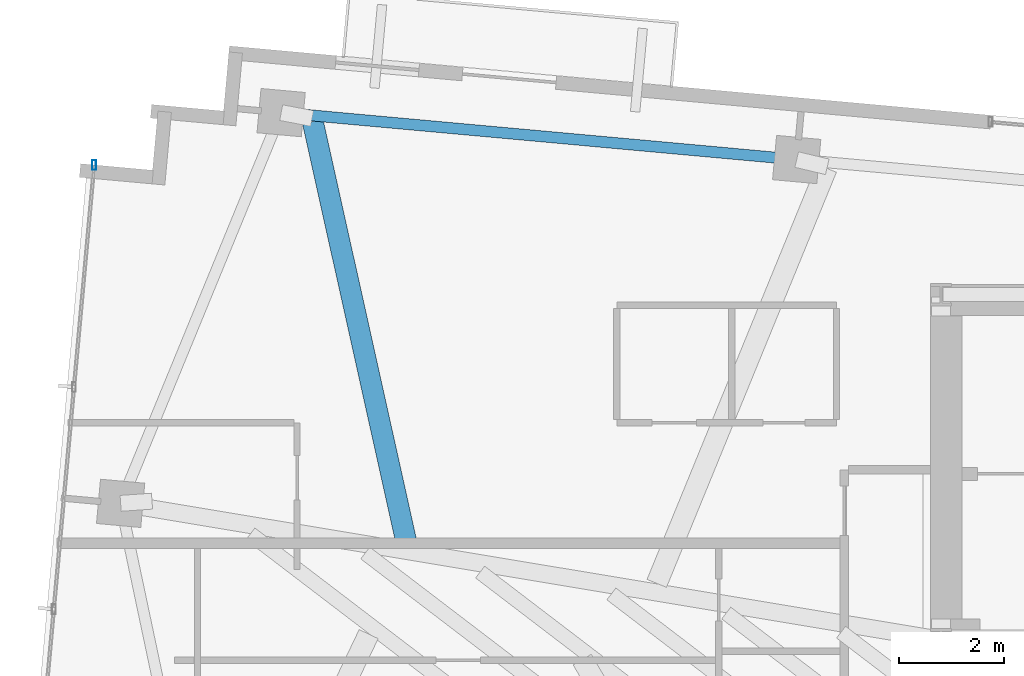
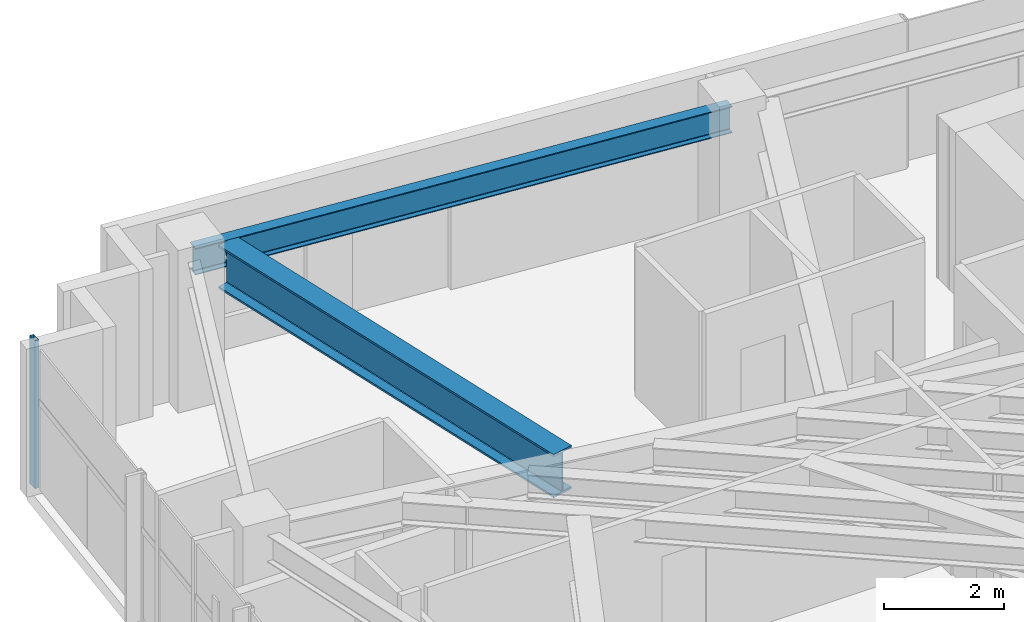
# One storey, part 9 of 22: 2 beams, 1 member, 1 element without a shape of its own.
"""IFC4 building model written with IfcOpenShell, lengths in metres."""

from ifc_helpers import new_model, si_unit, direction, frame, origin, origin_2d, place, context, subcontext, project, spatial, hollow_rectangle, i_section, extrude, source, transform, mapped, material, material_profile, profile_set, type_object, type_shapes, element, aggregate, save


model = new_model("IFC4")

# Units and contexts
model_context = context("Model", 3, precision=1e-05, world=origin(), true_north=direction((0.0, 1.0)))
body_context = subcontext(model_context, "Body", "Model", "MODEL_VIEW")
ifc_project = project(units=[si_unit("LENGTHUNIT", "METRE"), si_unit("AREAUNIT", "SQUARE_METRE"), si_unit("VOLUMEUNIT", "CUBIC_METRE"), si_unit("PLANEANGLEUNIT", "RADIAN"), si_unit("MASSUNIT", "GRAM", prefix="KILO")], contexts=[model_context])

# Site, building, storey
site_placement = place(None, origin())
site = spatial("IfcSite", under=ifc_project, at=site_placement, CompositionType="ELEMENT")
building_placement = place(site_placement, origin())
building = spatial("IfcBuilding", under=site, at=building_placement, Name="Astriad Promenade Condominiums", CompositionType="ELEMENT")
storey_placement = place(building_placement, frame((0.0, 0.0, 256.199951171875)))
storey = spatial("IfcBuildingStorey", under=building, at=storey_placement, Name="L74", CompositionType="ELEMENT", Elevation=256.199951171875)

# Beams
ifc_material_1 = material(Name="Steel ASTM A992 Grade 50", Category="steel")
ifc_material_profile_1 = material_profile(ifc_material_1, i_section(OverallWidth=0.210693359375, OverallDepth=0.53955078125, WebThickness=0.01171875, FlangeThickness=0.018798828125, FilletRadius=0.0166015625, at=origin_2d()), Name="W21X73")
ifc_profile_set_1 = profile_set([ifc_material_profile_1], Name="Steel ASTM A992 Grade 50")
beam_type_1 = type_object("IfcBeamType", Name="STEEL SPANDREL BEAM W21X73", PredefinedType="SPANDREL", material=ifc_profile_set_1)
shared_shape_1 = source(origin(), body_context, "Body", "SweptSolid", [
    extrude(i_section(OverallWidth=0.210693359375, OverallDepth=0.53955078125, WebThickness=0.01171875, FlangeThickness=0.018798828125, FilletRadius=0.0166015625, at=origin_2d()), origin(), (0.0, 0.0, 1.0), 9.820068359375),
])
type_shapes(beam_type_1, [shared_shape_1])
beam_1_placement = place(storey_placement, frame((23.6005859375, 26.589111328125, 2.73046875), z_axis=(-0.995883214993, 0.090645585088, 0.0), x_axis=(-0.090645585088, -0.995883214993, 0.0)))
element("IfcBeam", 1, at=beam_1_placement, inside=storey, type_object=beam_type_1, Name="Perimeter Spandrel Beam SP-N1-L74", PredefinedType="SPANDREL", context=body_context, shape_type="MappedRepresentation", body=[
    mapped(shared_shape_1, transform((0.0, 0.0, 0.0), scale=1.0)),
])
ifc_material_profile_2 = material_profile(ifc_material_1, i_section(OverallWidth=0.4013671875, OverallDepth=0.877197265625, WebThickness=0.022216796875, FlangeThickness=0.039794921875, FilletRadius=0.02294921875, at=origin_2d()), Name="W33X263")
ifc_profile_set_2 = profile_set([ifc_material_profile_2], Name="Steel ASTM A992 Grade 50")
beam_type_2 = type_object("IfcBeamType", Name="STEEL TRANSFER CARRIER GIRDER W33X263", PredefinedType="BEAM", material=ifc_profile_set_2)
shared_shape_2 = source(origin(), body_context, "Body", "SweptSolid", [
    extrude(i_section(OverallWidth=0.4013671875, OverallDepth=0.877197265625, WebThickness=0.022216796875, FlangeThickness=0.039794921875, FilletRadius=0.02294921875, at=origin_2d()), origin(), (0.0, 0.0, 1.0), 8.232421875),
])
type_shapes(beam_type_2, [shared_shape_2])
beam_2_placement = place(storey_placement, frame((16.173583984375, 19.276611328125, 2.5615234375), z_axis=(-0.21722875017, 0.976120725167, 0.0), x_axis=(-0.976120725167, -0.21722875017, 0.0)))
element("IfcBeam", 2, at=beam_2_placement, inside=storey, type_object=beam_type_2, Name="Transfer Splice Carrier TRM-SP-PC06-L74", PredefinedType="BEAM", context=body_context, shape_type="MappedRepresentation", body=[
    mapped(shared_shape_2, transform((0.0, 0.0, 0.0), scale=1.0)),
])

# Curtain wall, member
ifc_material_2 = material(Name="Anodised aluminium Black Dark Glass Unitised", Category="aluminium")
curtain_wall_type = type_object("IfcCurtainWallType", Name="CW-B5-DARK", PredefinedType="USERDEFINED", material=ifc_material_2)
curtain_wall_placement = place(storey_placement, origin())
curtain_wall = element("IfcCurtainWall", 3, at=curtain_wall_placement, inside=storey, type_object=curtain_wall_type, Name="CW-L74-W", ObjectType="UNITISED_CURTAIN_WALL", PredefinedType="USERDEFINED")
ifc_material_3 = material(Name="Anodised aluminium 6063-T6 Black", Category="aluminium")
ifc_material_profile_3 = material_profile(ifc_material_3, hollow_rectangle(XDim=0.074951171875, YDim=0.18505859375, WallThickness=0.00439453125, at=origin_2d()), Name="ALU-MUL-75X185")
ifc_profile_set_3 = profile_set([ifc_material_profile_3], Name="Anodised aluminium 6063-T6 Black")
member_type = type_object("IfcMemberType", Name="MUL-ALU-MUL-75X185", PredefinedType="MULLION", material=ifc_profile_set_3)
shared_shape_3 = source(origin(), body_context, "Body", "SweptSolid", [
    extrude(hollow_rectangle(XDim=0.074951171875, YDim=0.18505859375, WallThickness=0.00439453125, at=origin_2d()), origin(), (0.0, 0.0, 1.0), 3.0),
])
type_shapes(member_type, [shared_shape_3])
member_placement = place(storey_placement, frame((10.205810546875, 26.482666015625, 0.0), z_axis=(0.0, 0.0, 1.0), x_axis=(1.0, 0.0, 0.0)))
member = element("IfcMember", 4, at=member_placement, type_object=member_type, Name="CW-L74-W-MUL-03", PredefinedType="MULLION", context=body_context, shape_type="MappedRepresentation", body=[
    mapped(shared_shape_3, transform((0.0, 0.0, 0.0), scale=1.0)),
])
aggregate(curtain_wall, [member])

save(model, "model.ifc")
